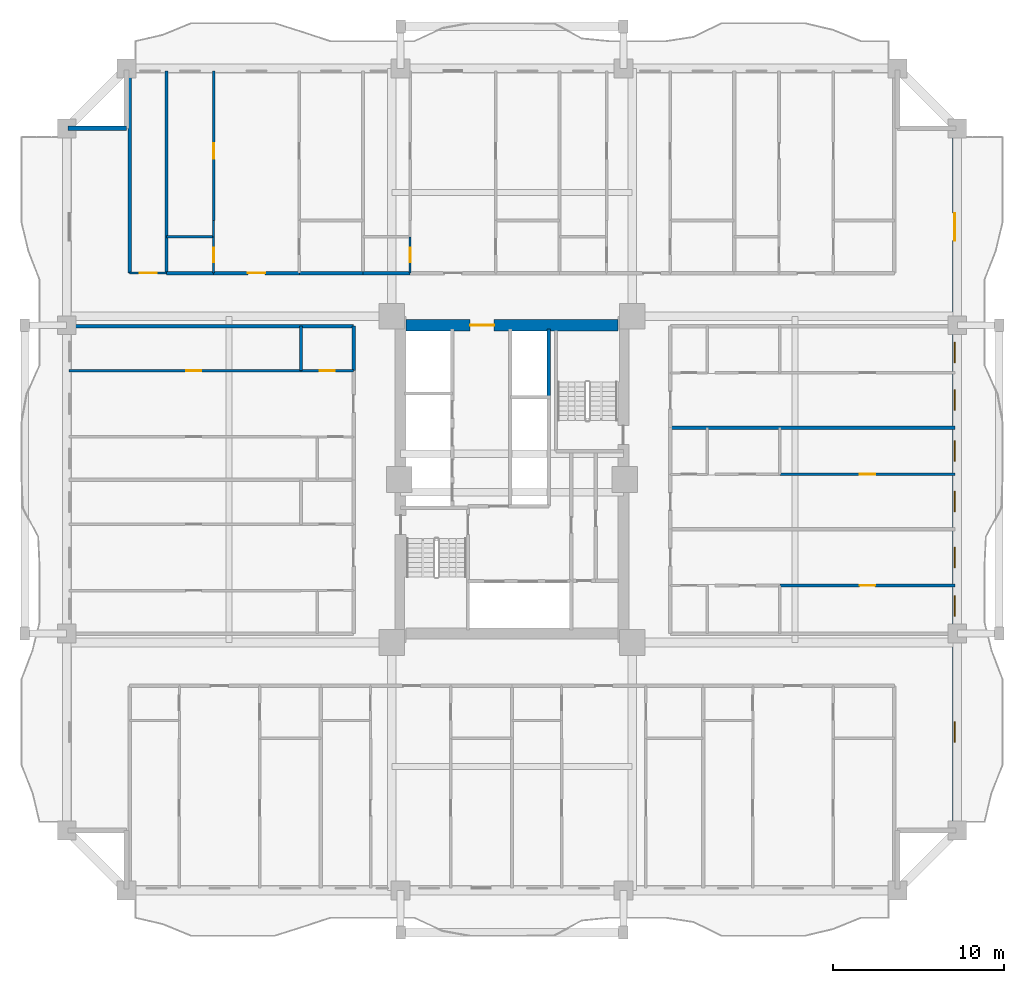
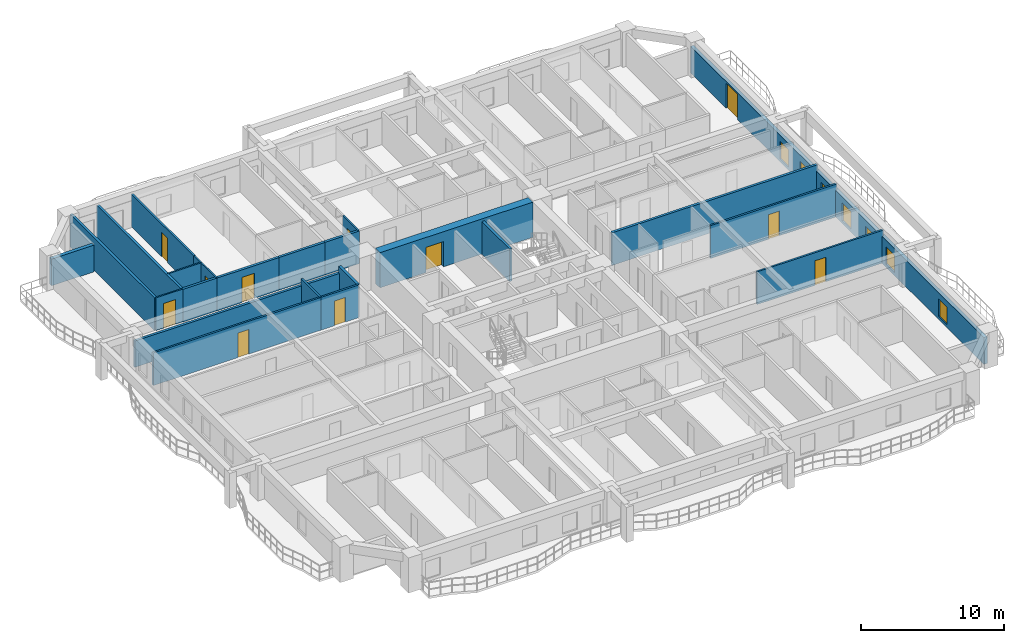
# One storey, part 6 of 16: 24 walls, 11 doors, 7 windows, 18 openings.
"""IFC4 building model written with IfcOpenShell, lengths in metres."""

from ifc_helpers import new_model, si_unit, direction, frame, frame_2d, origin, place, context, subcontext, project, spatial, rectangle, extrude, source, transform, mapped, material, layer, layer_set, type_object, element, fill, save


model = new_model("IFC4")

# Units and contexts
model_context = context("Model", 3, precision=1e-05, world=origin(), true_north=direction((0.0, 1.0)))
body_context = subcontext(model_context, "Body", "Model", "MODEL_VIEW")
ifc_project = project(units=[si_unit("LENGTHUNIT", "METRE"), si_unit("AREAUNIT", "SQUARE_METRE"), si_unit("VOLUMEUNIT", "CUBIC_METRE"), si_unit("PLANEANGLEUNIT", "RADIAN"), si_unit("MASSUNIT", "GRAM", prefix="KILO")], contexts=[model_context])

# Site, building, storey
site_placement = place(None, origin())
site = spatial("IfcSite", under=ifc_project, at=site_placement, CompositionType="ELEMENT")
building_placement = place(site_placement, origin())
building = spatial("IfcBuilding", under=site, at=building_placement, Name="Saelheon Loggia Tower", CompositionType="ELEMENT")
storey_placement = place(building_placement, frame((0.0, 0.0, 37.39990234375)))
storey = spatial("IfcBuildingStorey", under=building, at=storey_placement, Name="L11", CompositionType="ELEMENT", Elevation=37.39990234375)

# Wall, opening, door
ifc_material_1 = material(Name="Concrete C60/75", Category="concrete")
ifc_layer_1 = layer(ifc_material_1, 0.64990234375)
ifc_layer_set_1 = layer_set([ifc_layer_1], Name="Concrete C60/75")
wall_type_1 = type_object("IfcWallType", Name="Wall_CoreShear_650", PredefinedType="SHEAR", material=ifc_layer_set_1)
wall_1_placement = place(storey_placement, frame((31.824951171875, 36.0, 0.0), z_axis=(0.0, 0.0, 1.0), x_axis=(1.0, 0.0, 0.0)))
wall_1 = element("IfcWall", 1, at=wall_1_placement, inside=storey, type_object=wall_type_1, Name="L11 Core Shear Wall North", PredefinedType="SHEAR", context=body_context, shape_type="SweptSolid", body=[
    extrude(rectangle(XDim=12.35009765625, YDim=0.64990234375, at=frame_2d((6.175048828125, 0.0))), origin(), (0.0, 0.0, 1.0), 3.0),
])
opening_1_placement = place(wall_1_placement, frame((5.125, 0.0, 0.0), z_axis=(0.0, 0.0, 1.0), x_axis=(-1.0, 0.0, 0.0)))
opening_1 = element("IfcOpeningElement", 2, at=opening_1_placement, cuts=wall_1, Name="Opening D-FD2L", PredefinedType="OPENING", context=body_context, shape_type="SweptSolid", body=[
    extrude(rectangle(XDim=1.39990234375, YDim=2.14990234375, at=frame_2d((0.699951171875, 1.074951171875))), frame((0.0, 0.3369140625, 0.0), z_axis=(0.0, -1.0, 0.0), x_axis=(1.0, 0.0, 0.0)), (0.0, 0.0, 1.0), 0.673828125),
])
ifc_material_2 = material(Name="Galvanised Steel Glazed Lobby Fire Door", Category="steel")
door_type_1 = type_object("IfcDoorType", Name="Door_Fire_FD60_1400", OperationType="NOTDEFINED", PredefinedType="DOOR", material=ifc_material_2)
shared_shape_1 = source(origin(), body_context, "Body", "SweptSolid", [
    extrude(rectangle(XDim=1.39990234375, YDim=2.14990234375, at=frame_2d((0.699951171875, 1.074951171875))), frame((0.0, 0.02490234375, 0.0), z_axis=(0.0, -1.0, 0.0), x_axis=(1.0, 0.0, 0.0)), (0.0, 0.0, 1.0), 0.050048828125),
])
door_1_placement = place(opening_1_placement, origin())
door_1 = element("IfcDoor", 3, at=door_1_placement, inside=storey, type_object=door_type_1, Name="L11 Passenger Lift Lobby Main Door", OperationType="SINGLE_SWING_RIGHT", OverallHeight=2.14990234375, OverallWidth=1.39990234375, PredefinedType="DOOR", context=body_context, shape_type="MappedRepresentation", body=[
    mapped(shared_shape_1, transform((0.0, 0.0, 0.0), scale=1.0)),
])
fill(opening_1, door_1)

# Wall, openings, windows, door
ifc_material_3 = material(Name="Architectural Precast Concrete C40/50", Category="concrete")
ifc_layer_2 = layer(ifc_material_3, 0.280029296875)
ifc_layer_set_2 = layer_set([ifc_layer_2], Name="Architectural Precast Concrete C40/50")
wall_type_2 = type_object("IfcWallType", Name="Wall_Ext_Loggia_280", PredefinedType="SOLIDWALL", material=ifc_layer_set_2)
wall_2_placement = place(storey_placement, frame((63.860107421875, 6.5, 0.0), z_axis=(0.0, 0.0, 1.0), x_axis=(0.0, 1.0, 0.0)))
wall_2 = element("IfcWall", 4, at=wall_2_placement, inside=storey, type_object=wall_type_2, Name="L11 East Loggia Inner Wall", PredefinedType="SOLIDWALL", context=body_context, shape_type="SweptSolid", body=[
    extrude(rectangle(XDim=41.0, YDim=0.280029296875, at=frame_2d((20.5, 0.0))), origin(), (0.0, 0.0, 1.0), 2.280029296875),
])
opening_2_placement = place(wall_2_placement, frame((5.14990234375, 0.0, 0.25)))
opening_2 = element("IfcOpeningElement", 5, at=opening_2_placement, cuts=wall_2, Name="Opening WN-03", PredefinedType="OPENING", context=body_context, shape_type="SweptSolid", body=[
    extrude(rectangle(XDim=1.199951171875, YDim=1.5, at=frame_2d((0.60009765625, 0.75))), frame((0.0, 0.152099609375, 0.0), z_axis=(0.0, -1.0, 0.0), x_axis=(1.0, 0.0, 0.0)), (0.0, 0.0, 1.0), 0.303955078125),
])
opening_3_placement = place(wall_2_placement, frame((12.498779296875, 0.0, 0.25)))
opening_3 = element("IfcOpeningElement", 6, at=opening_3_placement, cuts=wall_2, Name="Opening WN-03", PredefinedType="OPENING", context=body_context, shape_type="SweptSolid", body=[
    extrude(rectangle(XDim=1.199951171875, YDim=1.5, at=frame_2d((0.60009765625, 0.75))), frame((0.0, 0.152099609375, 0.0), z_axis=(0.0, -1.0, 0.0), x_axis=(1.0, 0.0, 0.0)), (0.0, 0.0, 1.0), 0.303955078125),
])
opening_4_placement = place(wall_2_placement, frame((15.355224609375, 0.0, 0.25)))
opening_4 = element("IfcOpeningElement", 7, at=opening_4_placement, cuts=wall_2, Name="Opening WN-03", PredefinedType="OPENING", context=body_context, shape_type="SweptSolid", body=[
    extrude(rectangle(XDim=1.199951171875, YDim=1.5, at=frame_2d((0.60009765625, 0.75))), frame((0.0, 0.152099609375, 0.0), z_axis=(0.0, -1.0, 0.0), x_axis=(1.0, 0.0, 0.0)), (0.0, 0.0, 1.0), 0.303955078125),
])
opening_5_placement = place(wall_2_placement, frame((18.602294921875, 0.0, 0.25)))
opening_5 = element("IfcOpeningElement", 8, at=opening_5_placement, cuts=wall_2, Name="Opening WN-03", PredefinedType="OPENING", context=body_context, shape_type="SweptSolid", body=[
    extrude(rectangle(XDim=1.199951171875, YDim=1.5, at=frame_2d((0.60009765625, 0.75))), frame((0.0, 0.152099609375, 0.0), z_axis=(0.0, -1.0, 0.0), x_axis=(1.0, 0.0, 0.0)), (0.0, 0.0, 1.0), 0.303955078125),
])
opening_6_placement = place(wall_2_placement, frame((21.564208984375, 0.0, 0.25)))
opening_6 = element("IfcOpeningElement", 9, at=opening_6_placement, cuts=wall_2, Name="Opening WN-03", PredefinedType="OPENING", context=body_context, shape_type="SweptSolid", body=[
    extrude(rectangle(XDim=1.199951171875, YDim=1.5, at=frame_2d((0.60009765625, 0.75))), frame((0.0, 0.152099609375, 0.0), z_axis=(0.0, -1.0, 0.0), x_axis=(1.0, 0.0, 0.0)), (0.0, 0.0, 1.0), 0.303955078125),
])
opening_7_placement = place(wall_2_placement, frame((24.52587890625, 0.0, 0.25)))
opening_7 = element("IfcOpeningElement", 10, at=opening_7_placement, cuts=wall_2, Name="Opening WN-03", PredefinedType="OPENING", context=body_context, shape_type="SweptSolid", body=[
    extrude(rectangle(XDim=1.199951171875, YDim=1.5, at=frame_2d((0.60009765625, 0.75))), frame((0.0, 0.152099609375, 0.0), z_axis=(0.0, -1.0, 0.0), x_axis=(1.0, 0.0, 0.0)), (0.0, 0.0, 1.0), 0.303955078125),
])
opening_8_placement = place(wall_2_placement, frame((27.317626953125, 0.0, 0.25)))
opening_8 = element("IfcOpeningElement", 11, at=opening_8_placement, cuts=wall_2, Name="Opening WN-03", PredefinedType="OPENING", context=body_context, shape_type="SweptSolid", body=[
    extrude(rectangle(XDim=1.199951171875, YDim=1.5, at=frame_2d((0.60009765625, 0.75))), frame((0.0, 0.152099609375, 0.0), z_axis=(0.0, -1.0, 0.0), x_axis=(1.0, 0.0, 0.0)), (0.0, 0.0, 1.0), 0.303955078125),
])
opening_9_placement = place(wall_2_placement, frame((36.050048828125, 0.0, 0.0), z_axis=(0.0, 0.0, 1.0), x_axis=(-1.0, 0.0, 0.0)))
opening_9 = element("IfcOpeningElement", 12, at=opening_9_placement, cuts=wall_2, Name="Opening DLG-1", PredefinedType="OPENING", context=body_context, shape_type="SweptSolid", body=[
    extrude(rectangle(XDim=1.60009765625, YDim=2.14990234375, at=frame_2d((0.800048828125, 1.074951171875))), frame((0.0, 0.152099609375, 0.0), z_axis=(0.0, -1.0, 0.0), x_axis=(1.0, 0.0, 0.0)), (0.0, 0.0, 1.0), 0.303955078125),
])
ifc_material_4 = material(Name="Thermal-Break Aluminium and Triple Low-E Glass", Category="aluminium")
window_type = type_object("IfcWindowType", Name="Win_Bedroom_1200x1500", PartitioningType="SINGLE_PANEL", PredefinedType="WINDOW", material=ifc_material_4)
shared_shape_2 = source(origin(), body_context, "Body", "SweptSolid", [
    extrude(rectangle(XDim=1.199951171875, YDim=1.5, at=frame_2d((0.60009765625, 0.75))), frame((0.0, 0.030029296875, 0.0), z_axis=(0.0, -1.0, 0.0), x_axis=(1.0, 0.0, 0.0)), (0.0, 0.0, 1.0), 0.06005859375),
])
window_1_placement = place(opening_2_placement, origin())
window_1 = element("IfcWindow", 13, at=window_1_placement, inside=storey, type_object=window_type, Name="L11 E Dwelling Window 1", OverallHeight=1.5, OverallWidth=1.199951171875, PartitioningType="SINGLE_PANEL", PredefinedType="WINDOW", context=body_context, shape_type="MappedRepresentation", body=[
    mapped(shared_shape_2, transform((0.0, 0.0, 0.0), scale=1.0)),
])
fill(opening_2, window_1)
window_2_placement = place(opening_3_placement, origin())
window_2 = element("IfcWindow", 14, at=window_2_placement, inside=storey, type_object=window_type, Name="L11 E Dwelling Window 2", OverallHeight=1.5, OverallWidth=1.199951171875, PartitioningType="SINGLE_PANEL", PredefinedType="WINDOW", context=body_context, shape_type="MappedRepresentation", body=[
    mapped(shared_shape_2, transform((0.0, 0.0, 0.0), scale=1.0)),
])
fill(opening_3, window_2)
window_3_placement = place(opening_4_placement, origin())
window_3 = element("IfcWindow", 15, at=window_3_placement, inside=storey, type_object=window_type, Name="L11 E Dwelling Window 3", OverallHeight=1.5, OverallWidth=1.199951171875, PartitioningType="SINGLE_PANEL", PredefinedType="WINDOW", context=body_context, shape_type="MappedRepresentation", body=[
    mapped(shared_shape_2, transform((0.0, 0.0, 0.0), scale=1.0)),
])
fill(opening_4, window_3)
window_4_placement = place(opening_5_placement, origin())
window_4 = element("IfcWindow", 16, at=window_4_placement, inside=storey, type_object=window_type, Name="L11 E Dwelling Window 4", OverallHeight=1.5, OverallWidth=1.199951171875, PartitioningType="SINGLE_PANEL", PredefinedType="WINDOW", context=body_context, shape_type="MappedRepresentation", body=[
    mapped(shared_shape_2, transform((0.0, 0.0, 0.0), scale=1.0)),
])
fill(opening_5, window_4)
window_5_placement = place(opening_6_placement, origin())
window_5 = element("IfcWindow", 17, at=window_5_placement, inside=storey, type_object=window_type, Name="L11 E Dwelling Window 5", OverallHeight=1.5, OverallWidth=1.199951171875, PartitioningType="SINGLE_PANEL", PredefinedType="WINDOW", context=body_context, shape_type="MappedRepresentation", body=[
    mapped(shared_shape_2, transform((0.0, 0.0, 0.0), scale=1.0)),
])
fill(opening_6, window_5)
window_6_placement = place(opening_7_placement, origin())
window_6 = element("IfcWindow", 18, at=window_6_placement, inside=storey, type_object=window_type, Name="L11 E Dwelling Window 6", OverallHeight=1.5, OverallWidth=1.199951171875, PartitioningType="SINGLE_PANEL", PredefinedType="WINDOW", context=body_context, shape_type="MappedRepresentation", body=[
    mapped(shared_shape_2, transform((0.0, 0.0, 0.0), scale=1.0)),
])
fill(opening_7, window_6)
window_7_placement = place(opening_8_placement, origin())
window_7 = element("IfcWindow", 19, at=window_7_placement, inside=storey, type_object=window_type, Name="L11 E Dwelling Window 7", OverallHeight=1.5, OverallWidth=1.199951171875, PartitioningType="SINGLE_PANEL", PredefinedType="WINDOW", context=body_context, shape_type="MappedRepresentation", body=[
    mapped(shared_shape_2, transform((0.0, 0.0, 0.0), scale=1.0)),
])
fill(opening_8, window_7)
ifc_material_5 = material(Name="Thermal-Break Aluminium Sliding Glazed Door", Category="aluminium")
door_type_2 = type_object("IfcDoorType", Name="Door_LoggiaSlide_1600", OperationType="SLIDING_TO_LEFT", PredefinedType="DOOR", material=ifc_material_5)
shared_shape_3 = source(origin(), body_context, "Body", "SweptSolid", [
    extrude(rectangle(XDim=1.60009765625, YDim=2.14990234375, at=frame_2d((0.800048828125, 1.074951171875))), frame((0.0, 0.02490234375, 0.0), z_axis=(0.0, -1.0, 0.0), x_axis=(1.0, 0.0, 0.0)), (0.0, 0.0, 1.0), 0.050048828125),
])
door_2_placement = place(opening_9_placement, origin())
door_2 = element("IfcDoor", 20, at=door_2_placement, inside=storey, type_object=door_type_2, Name="L11 E Loggia Access Door", OperationType="SLIDING_TO_LEFT", OverallHeight=2.14990234375, OverallWidth=1.60009765625, PredefinedType="DOOR", context=body_context, shape_type="MappedRepresentation", body=[
    mapped(shared_shape_3, transform((0.0, 0.0, 0.0), scale=1.0)),
])
fill(opening_9, door_2)

# Wall
wall_3_placement = place(storey_placement, frame((12.080078125, 47.5, 0.0), z_axis=(0.0, 0.0, 1.0), x_axis=(1.0, 0.0, 0.0)))
element("IfcWall", 21, at=wall_3_placement, inside=storey, type_object=wall_type_2, Name="L11 Corner Notch Precast Wall NW2", PredefinedType="SOLIDWALL", context=body_context, shape_type="SweptSolid", body=[
    extrude(rectangle(XDim=3.419921875, YDim=0.280029296875, at=frame_2d((1.7099609375, 0.0))), origin(), (0.0, 0.0, 1.0), 2.280029296875),
])

# Wall, opening, door
ifc_material_6 = material(Name="Lightweight Autoclaved Aerated Concrete Block and Acoustic Gypsum", Category="concrete")
ifc_layer_3 = layer(ifc_material_6, 0.14990234375)
ifc_layer_set_3 = layer_set([ifc_layer_3], Name="Lightweight Autoclaved Aerated Concrete Block and Acoustic Gypsum")
wall_type_3 = type_object("IfcWallType", Name="Wall_Part_150", PredefinedType="PARTITIONING", material=ifc_layer_set_3)
wall_4_placement = place(storey_placement, frame((20.580078125, 42.1201171875, 0.0), z_axis=(0.0, 0.0, 1.0), x_axis=(0.0, 1.0, 0.0)))
wall_4 = element("IfcWall", 22, at=wall_4_placement, inside=storey, type_object=wall_type_3, Name="L11 N Partition U12", PredefinedType="PARTITIONING", context=body_context, shape_type="SweptSolid", body=[
    extrude(rectangle(XDim=8.72998046875, YDim=0.14990234375, at=frame_2d((4.364990234375, 0.0))), origin(), (0.0, 0.0, 1.0), 2.7900390625),
])
opening_10_placement = place(wall_4_placement, frame((3.60888671875, 0.0, 0.0)))
opening_10 = element("IfcOpeningElement", 23, at=opening_10_placement, cuts=wall_4, Name="Opening D-IN2", PredefinedType="OPENING", context=body_context, shape_type="SweptSolid", body=[
    extrude(rectangle(XDim=0.89990234375, YDim=2.10009765625, at=frame_2d((0.449951171875, 1.050048828125))), frame((0.0, 0.0869140625, 0.0), z_axis=(0.0, -1.0, 0.0), x_axis=(1.0, 0.0, 0.0)), (0.0, 0.0, 1.0), 0.173828125),
])
ifc_material_7 = material(Name="Engineered Oak Flush Door", Category="timber")
door_type_3 = type_object("IfcDoorType", Name="Door_Int_900", OperationType="NOTDEFINED", PredefinedType="DOOR", material=ifc_material_7)
shared_shape_4 = source(origin(), body_context, "Body", "SweptSolid", [
    extrude(rectangle(XDim=0.89990234375, YDim=2.10009765625, at=frame_2d((0.449951171875, 1.050048828125))), frame((0.0, 0.02490234375, 0.0), z_axis=(0.0, -1.0, 0.0), x_axis=(1.0, 0.0, 0.0)), (0.0, 0.0, 1.0), 0.050048828125),
])
door_3_placement = place(opening_10_placement, origin())
door_3 = element("IfcDoor", 24, at=door_3_placement, inside=storey, type_object=door_type_3, Name="Unit U05 Kitchen Door", OperationType="SINGLE_SWING_RIGHT", OverallHeight=2.10009765625, OverallWidth=0.89990234375, PredefinedType="DOOR", context=body_context, shape_type="MappedRepresentation", body=[
    mapped(shared_shape_4, transform((0.0, 0.0, 0.0), scale=1.0)),
])
fill(opening_10, door_3)

# Wall
wall_5_placement = place(storey_placement, frame((25.679931640625, 33.35009765625, 0.0), z_axis=(0.0, 0.0, 1.0), x_axis=(0.0, 1.0, 0.0)))
element("IfcWall", 25, at=wall_5_placement, inside=storey, type_object=wall_type_3, Name="L11 W Partition V18", PredefinedType="PARTITIONING", context=body_context, shape_type="SweptSolid", body=[
    extrude(rectangle(XDim=2.599853515625, YDim=0.14990234375, at=frame_2d((1.2998046875, 0.0))), origin(), (0.0, 0.0, 1.0), 2.7900390625),
])

# Wall, opening, door
wall_6_placement = place(storey_placement, frame((28.75, 33.35009765625, 0.0), z_axis=(0.0, 0.0, 1.0), x_axis=(-1.0, 0.0, 0.0)))
wall_6 = element("IfcWall", 26, at=wall_6_placement, inside=storey, type_object=wall_type_3, Name="L11 W Partition U22", PredefinedType="PARTITIONING", context=body_context, shape_type="SweptSolid", body=[
    extrude(rectangle(XDim=3.070068359375, YDim=0.14990234375, at=frame_2d((1.53515625, 0.0))), origin(), (0.0, 0.0, 1.0), 2.7900390625),
])
opening_11_placement = place(wall_6_placement, frame((1.0849609375, 0.0, 0.0)))
opening_11 = element("IfcOpeningElement", 27, at=opening_11_placement, cuts=wall_6, Name="Opening D-IN2", PredefinedType="OPENING", context=body_context, shape_type="SweptSolid", body=[
    extrude(rectangle(XDim=0.89990234375, YDim=2.10009765625, at=frame_2d((0.449951171875, 1.050048828125))), frame((0.0, 0.0869140625, 0.0), z_axis=(0.0, -1.0, 0.0), x_axis=(1.0, 0.0, 0.0)), (0.0, 0.0, 1.0), 0.173828125),
])
door_4_placement = place(opening_11_placement, origin())
door_4 = element("IfcDoor", 28, at=door_4_placement, inside=storey, type_object=door_type_3, Name="Unit U10 Dressing Closet Door", OperationType="SINGLE_SWING_RIGHT", OverallHeight=2.10009765625, OverallWidth=0.89990234375, PredefinedType="DOOR", context=body_context, shape_type="MappedRepresentation", body=[
    mapped(shared_shape_4, transform((0.0, 0.0, 0.0), scale=1.0)),
])
fill(opening_11, door_4)

wall_7_placement = place(storey_placement, frame((25.679931640625, 33.35009765625, 0.0), z_axis=(0.0, 0.0, 1.0), x_axis=(-1.0, 0.0, 0.0)))
wall_7 = element("IfcWall", 29, at=wall_7_placement, inside=storey, type_object=wall_type_3, Name="L11 W Partition U23", PredefinedType="PARTITIONING", context=body_context, shape_type="SweptSolid", body=[
    extrude(rectangle(XDim=13.530029296875, YDim=0.14990234375, at=frame_2d((6.76513671875, 0.0))), origin(), (0.0, 0.0, 1.0), 2.7900390625),
])
opening_12_placement = place(wall_7_placement, frame((5.80859375, 0.0, 0.0)))
opening_12 = element("IfcOpeningElement", 30, at=opening_12_placement, cuts=wall_7, Name="Opening D-IN2", PredefinedType="OPENING", context=body_context, shape_type="SweptSolid", body=[
    extrude(rectangle(XDim=0.89990234375, YDim=2.10009765625, at=frame_2d((0.449951171875, 1.050048828125))), frame((0.0, 0.0869140625, 0.0), z_axis=(0.0, -1.0, 0.0), x_axis=(1.0, 0.0, 0.0)), (0.0, 0.0, 1.0), 0.173828125),
])
door_5_placement = place(opening_12_placement, origin())
door_5 = element("IfcDoor", 31, at=door_5_placement, inside=storey, type_object=door_type_3, Name="Unit U10 Bedroom 1 Door", OperationType="SINGLE_SWING_LEFT", OverallHeight=2.10009765625, OverallWidth=0.89990234375, PredefinedType="DOOR", context=body_context, shape_type="MappedRepresentation", body=[
    mapped(shared_shape_4, transform((0.0, 0.0, 0.0), scale=1.0)),
])
fill(opening_12, door_5)

wall_8_placement = place(storey_placement, frame((53.639892578125, 20.807373046875, 0.0), z_axis=(0.0, 0.0, 1.0), x_axis=(1.0, 0.0, 0.0)))
wall_8 = element("IfcWall", 32, at=wall_8_placement, inside=storey, type_object=wall_type_3, Name="L11 E Partition U09", PredefinedType="PARTITIONING", context=body_context, shape_type="SweptSolid", body=[
    extrude(rectangle(XDim=10.210205078125, YDim=0.14990234375, at=frame_2d((5.10498046875, 0.0))), origin(), (0.0, 0.0, 1.0), 2.7900390625),
])
opening_13_placement = place(wall_8_placement, frame((4.655029296875, 0.0, 0.0)))
opening_13 = element("IfcOpeningElement", 33, at=opening_13_placement, cuts=wall_8, Name="Opening D-IN2", PredefinedType="OPENING", context=body_context, shape_type="SweptSolid", body=[
    extrude(rectangle(XDim=0.89990234375, YDim=2.10009765625, at=frame_2d((0.449951171875, 1.050048828125))), frame((0.0, 0.0869140625, 0.0), z_axis=(0.0, -1.0, 0.0), x_axis=(1.0, 0.0, 0.0)), (0.0, 0.0, 1.0), 0.173828125),
])
door_6_placement = place(opening_13_placement, origin())
door_6 = element("IfcDoor", 34, at=door_6_placement, inside=storey, type_object=door_type_3, Name="Unit U11 Bedroom 1 Door", OperationType="SINGLE_SWING_LEFT", OverallHeight=2.10009765625, OverallWidth=0.89990234375, PredefinedType="DOOR", context=body_context, shape_type="MappedRepresentation", body=[
    mapped(shared_shape_4, transform((0.0, 0.0, 0.0), scale=1.0)),
])
fill(opening_13, door_6)

wall_9_placement = place(storey_placement, frame((53.639892578125, 27.3017578125, 0.0), z_axis=(0.0, 0.0, 1.0), x_axis=(1.0, 0.0, 0.0)))
wall_9 = element("IfcWall", 35, at=wall_9_placement, inside=storey, type_object=wall_type_3, Name="L11 E Partition U17", PredefinedType="PARTITIONING", context=body_context, shape_type="SweptSolid", body=[
    extrude(rectangle(XDim=10.210205078125, YDim=0.14990234375, at=frame_2d((5.10498046875, 0.0))), origin(), (0.0, 0.0, 1.0), 2.7900390625),
])
opening_14_placement = place(wall_9_placement, frame((4.655029296875, 0.0, 0.0)))
opening_14 = element("IfcOpeningElement", 36, at=opening_14_placement, cuts=wall_9, Name="Opening D-IN2", PredefinedType="OPENING", context=body_context, shape_type="SweptSolid", body=[
    extrude(rectangle(XDim=0.89990234375, YDim=2.10009765625, at=frame_2d((0.449951171875, 1.050048828125))), frame((0.0, 0.0869140625, 0.0), z_axis=(0.0, -1.0, 0.0), x_axis=(1.0, 0.0, 0.0)), (0.0, 0.0, 1.0), 0.173828125),
])
door_7_placement = place(opening_14_placement, origin())
door_7 = element("IfcDoor", 37, at=door_7_placement, inside=storey, type_object=door_type_3, Name="Unit U12 Bedroom 1 Door", OperationType="SINGLE_SWING_LEFT", OverallHeight=2.10009765625, OverallWidth=0.89990234375, PredefinedType="DOOR", context=body_context, shape_type="MappedRepresentation", body=[
    mapped(shared_shape_4, transform((0.0, 0.0, 0.0), scale=1.0)),
])
fill(opening_14, door_7)

# Walls
ifc_material_8 = material(Name="Double Acoustic Stud and Fireboard Partition", Category="gypsum")
ifc_layer_4 = layer(ifc_material_8, 0.199951171875)
ifc_layer_set_4 = layer_set([ifc_layer_4], Name="Double Acoustic Stud and Fireboard Partition")
wall_type_4 = type_object("IfcWallType", Name="Wall_Party_200", PredefinedType="PARTITIONING", material=ifc_layer_set_4)
for number, where, z_axis, x_axis, name in (
    (38, (15.679931640625, 39.050048828125, 0.0), (0.0, 0.0, 1.0), (0.0, 1.0, 0.0), "L11 N Partition U01"),
    (39, (17.830078125, 39.050048828125, 0.0), (0.0, 0.0, 1.0), (0.0, 1.0, 0.0), "L11 N Partition U03"),
):
    element("IfcWall", number, at=place(storey_placement, frame(where, z_axis=z_axis, x_axis=x_axis)), inside=storey, type_object=wall_type_4, Name=name, PredefinedType="PARTITIONING", context=body_context, shape_type="SweptSolid", body=[
        extrude(rectangle(XDim=11.800048828125, YDim=0.199951171875, at=frame_2d((5.89990234375, 0.0))), origin(), (0.0, 0.0, 1.0), 2.7900390625),
    ])
wall_10_placement = place(storey_placement, frame((17.830078125, 39.050048828125, 0.0), z_axis=(0.0, 0.0, 1.0), x_axis=(1.0, 0.0, 0.0)))
element("IfcWall", 40, at=wall_10_placement, inside=storey, type_object=wall_type_4, Name="L11 N Partition V05", PredefinedType="PARTITIONING", context=body_context, shape_type="SweptSolid", body=[
    extrude(rectangle(XDim=2.75, YDim=0.199951171875, at=frame_2d((1.375, 0.0))), origin(), (0.0, 0.0, 1.0), 2.7900390625),
])

# Wall, opening, door
wall_11_placement = place(storey_placement, frame((20.580078125, 39.050048828125, 0.0), z_axis=(0.0, 0.0, 1.0), x_axis=(1.0, 0.0, 0.0)))
wall_11 = element("IfcWall", 41, at=wall_11_placement, inside=storey, type_object=wall_type_4, Name="L11 N Partition V06", PredefinedType="PARTITIONING", context=body_context, shape_type="SweptSolid", body=[
    extrude(rectangle(XDim=4.99951171875, YDim=0.199951171875, at=frame_2d((2.499755859375, 0.0))), origin(), (0.0, 0.0, 1.0), 2.7900390625),
])
opening_15_placement = place(wall_11_placement, frame((1.999755859375, 0.0, 0.0)))
opening_15 = element("IfcOpeningElement", 42, at=opening_15_placement, cuts=wall_11, Name="Opening D-FD1", PredefinedType="OPENING", context=body_context, shape_type="SweptSolid", body=[
    extrude(rectangle(XDim=1.0, YDim=2.14990234375, at=frame_2d((0.5, 1.074951171875))), frame((0.0, 0.112060546875, 0.0), z_axis=(0.0, -1.0, 0.0), x_axis=(1.0, 0.0, 0.0)), (0.0, 0.0, 1.0), 0.223876953125),
])
ifc_material_9 = material(Name="Fire-Rated Engineered Timber Entrance Door", Category="wood")
door_type_4 = type_object("IfcDoorType", Name="Door_Flat_FD30S", OperationType="NOTDEFINED", PredefinedType="DOOR", material=ifc_material_9)
shared_shape_5 = source(origin(), body_context, "Body", "SweptSolid", [
    extrude(rectangle(XDim=1.0, YDim=2.14990234375, at=frame_2d((0.5, 1.074951171875))), frame((0.0, 0.02490234375, 0.0), z_axis=(0.0, -1.0, 0.0), x_axis=(1.0, 0.0, 0.0)), (0.0, 0.0, 1.0), 0.050048828125),
])
door_8_placement = place(opening_15_placement, origin())
door_8 = element("IfcDoor", 43, at=door_8_placement, inside=storey, type_object=door_type_4, Name="Unit U05 Entrance Door", OperationType="SINGLE_SWING_RIGHT", OverallHeight=2.14990234375, OverallWidth=1.0, PredefinedType="DOOR", context=body_context, shape_type="MappedRepresentation", body=[
    mapped(shared_shape_5, transform((0.0, 0.0, 0.0), scale=1.0)),
])
fill(opening_15, door_8)

# Walls
wall_12_placement = place(storey_placement, frame((25.57958984375, 39.050048828125, 0.0), z_axis=(0.0, 0.0, 1.0), x_axis=(1.0, 0.0, 0.0)))
element("IfcWall", 44, at=wall_12_placement, inside=storey, type_object=wall_type_4, Name="L11 N Partition V07", PredefinedType="PARTITIONING", context=body_context, shape_type="SweptSolid", body=[
    extrude(rectangle(XDim=3.72265625, YDim=0.199951171875, at=frame_2d((1.861328125, 0.0))), origin(), (0.0, 0.0, 1.0), 2.7900390625),
])
wall_13_placement = place(storey_placement, frame((29.30224609375, 39.050048828125, 0.0), z_axis=(0.0, 0.0, 1.0), x_axis=(1.0, 0.0, 0.0)))
element("IfcWall", 45, at=wall_13_placement, inside=storey, type_object=wall_type_4, Name="L11 N Partition V16", PredefinedType="PARTITIONING", context=body_context, shape_type="SweptSolid", body=[
    extrude(rectangle(XDim=2.75, YDim=0.199951171875, at=frame_2d((1.375, 0.0))), origin(), (0.0, 0.0, 1.0), 2.7900390625),
])
wall_14_placement = place(storey_placement, frame((28.75, 35.949951171875, 0.0), z_axis=(0.0, 0.0, 1.0), x_axis=(-1.0, 0.0, 0.0)))
element("IfcWall", 46, at=wall_14_placement, inside=storey, type_object=wall_type_4, Name="L11 W Partition U02", PredefinedType="PARTITIONING", context=body_context, shape_type="SweptSolid", body=[
    extrude(rectangle(XDim=16.60009765625, YDim=0.199951171875, at=frame_2d((8.300048828125, 0.0))), origin(), (0.0, 0.0, 1.0), 2.239990234375),
])
wall_15_placement = place(storey_placement, frame((28.75, 33.35009765625, 0.0), z_axis=(0.0, 0.0, 1.0), x_axis=(0.0, 1.0, 0.0)))
element("IfcWall", 47, at=wall_15_placement, inside=storey, type_object=wall_type_4, Name="L11 W Partition V16", PredefinedType="PARTITIONING", context=body_context, shape_type="SweptSolid", body=[
    extrude(rectangle(XDim=2.599853515625, YDim=0.199951171875, at=frame_2d((1.2998046875, 0.0))), origin(), (0.0, 0.0, 1.0), 2.7900390625),
])
wall_16_placement = place(storey_placement, frame((47.25, 30.026611328125, 0.0), z_axis=(0.0, 0.0, 1.0), x_axis=(1.0, 0.0, 0.0)))
element("IfcWall", 48, at=wall_16_placement, inside=storey, type_object=wall_type_4, Name="L11 E Partition U18", PredefinedType="PARTITIONING", context=body_context, shape_type="SweptSolid", body=[
    extrude(rectangle(XDim=16.60009765625, YDim=0.199951171875, at=frame_2d((8.300048828125, 0.0))), origin(), (0.0, 0.0, 1.0), 2.7900390625),
])
ifc_material_10 = material(Name="Concrete C40/50", Category="concrete")
ifc_layer_5 = layer(ifc_material_10, 0.199951171875)
ifc_layer_set_5 = layer_set([ifc_layer_5], Name="Concrete C40/50")
wall_type_5 = type_object("IfcWallType", Name="Wall_Shaft_200", PredefinedType="PARTITIONING", material=ifc_layer_set_5)
wall_17_placement = place(storey_placement, frame((40.14990234375, 31.800048828125, 0.0), z_axis=(0.0, 0.0, 1.0), x_axis=(0.0, 1.0, 0.0)))
element("IfcWall", 49, at=wall_17_placement, inside=storey, type_object=wall_type_5, Name="L11 East High-Rise Hoistway East Wall", PredefinedType="PARTITIONING", context=body_context, shape_type="SweptSolid", body=[
    extrude(rectangle(XDim=3.97998046875, YDim=0.199951171875, at=frame_2d((1.989990234375, 0.0))), origin(), (0.0, 0.0, 1.0), 2.7900390625),
])

# Wall, opening, door
ifc_material_11 = material(Name="Moisture-Resistant Cement Board Partition", Category="gypsum")
ifc_layer_6 = layer(ifc_material_11, 0.1201171875)
ifc_layer_set_6 = layer_set([ifc_layer_6], Name="Moisture-Resistant Cement Board Partition")
wall_type_6 = type_object("IfcWallType", Name="Wall_WetPart_120", PredefinedType="PARTITIONING", material=ifc_layer_set_6)
wall_18_placement = place(storey_placement, frame((15.679931640625, 39.050048828125, 0.0), z_axis=(0.0, 0.0, 1.0), x_axis=(1.0, 0.0, 0.0)))
wall_18 = element("IfcWall", 50, at=wall_18_placement, inside=storey, type_object=wall_type_6, Name="L11 N Partition V04", PredefinedType="PARTITIONING", context=body_context, shape_type="SweptSolid", body=[
    extrude(rectangle(XDim=2.150146484375, YDim=0.1201171875, at=frame_2d((1.0751953125, 0.0))), origin(), (0.0, 0.0, 1.0), 2.7900390625),
])
opening_16_placement = place(wall_18_placement, frame((0.574951171875, 0.0, 0.0)))
opening_16 = element("IfcOpeningElement", 51, at=opening_16_placement, cuts=wall_18, Name="Opening D-AC1", PredefinedType="OPENING", context=body_context, shape_type="SweptSolid", body=[
    extrude(rectangle(XDim=1.0, YDim=2.10009765625, at=frame_2d((0.5, 1.050048828125))), frame((0.0, 0.072021484375, 0.0), z_axis=(0.0, -1.0, 0.0), x_axis=(1.0, 0.0, 0.0)), (0.0, 0.0, 1.0), 0.14404296875),
])
ifc_material_12 = material(Name="Accessible Laminate Flush Door", Category="timber")
door_type_5 = type_object("IfcDoorType", Name="Door_Acc_1000", OperationType="NOTDEFINED", PredefinedType="DOOR", material=ifc_material_12)
shared_shape_6 = source(origin(), body_context, "Body", "SweptSolid", [
    extrude(rectangle(XDim=1.0, YDim=2.10009765625, at=frame_2d((0.5, 1.050048828125))), frame((0.0, 0.02490234375, 0.0), z_axis=(0.0, -1.0, 0.0), x_axis=(1.0, 0.0, 0.0)), (0.0, 0.0, 1.0), 0.050048828125),
])
door_9_placement = place(opening_16_placement, origin())
door_9 = element("IfcDoor", 52, at=door_9_placement, inside=storey, type_object=door_type_5, Name="L11 Floor Accessible WC Door", OperationType="SINGLE_SWING_LEFT", OverallHeight=2.10009765625, OverallWidth=1.0, PredefinedType="DOOR", context=body_context, shape_type="MappedRepresentation", body=[
    mapped(shared_shape_6, transform((0.0, 0.0, 0.0), scale=1.0)),
])
fill(opening_16, door_9)

# Wall
wall_19_placement = place(storey_placement, frame((17.830078125, 41.169921875, 0.0), z_axis=(0.0, 0.0, 1.0), x_axis=(1.0, 0.0, 0.0)))
element("IfcWall", 53, at=wall_19_placement, inside=storey, type_object=wall_type_6, Name="L11 N Partition V08", PredefinedType="PARTITIONING", context=body_context, shape_type="SweptSolid", body=[
    extrude(rectangle(XDim=2.75, YDim=0.1201171875, at=frame_2d((1.375, 0.0))), origin(), (0.0, 0.0, 1.0), 2.7900390625),
])

# Wall, opening, door
wall_20_placement = place(storey_placement, frame((20.580078125, 39.050048828125, 0.0), z_axis=(0.0, 0.0, 1.0), x_axis=(0.0, 1.0, 0.0)))
wall_20 = element("IfcWall", 54, at=wall_20_placement, inside=storey, type_object=wall_type_6, Name="L11 N Partition U10", PredefinedType="PARTITIONING", context=body_context, shape_type="SweptSolid", body=[
    extrude(rectangle(XDim=2.119873046875, YDim=0.1201171875, at=frame_2d((1.06005859375, 0.0))), origin(), (0.0, 0.0, 1.0), 2.7900390625),
])
opening_17_placement = place(wall_20_placement, frame((0.635009765625, 0.0, 0.0)))
opening_17 = element("IfcOpeningElement", 55, at=opening_17_placement, cuts=wall_20, Name="Opening D-BT1", PredefinedType="OPENING", context=body_context, shape_type="SweptSolid", body=[
    extrude(rectangle(XDim=0.85009765625, YDim=2.050048828125, at=frame_2d((0.425048828125, 1.02490234375))), frame((0.0, 0.072021484375, 0.0), z_axis=(0.0, -1.0, 0.0), x_axis=(1.0, 0.0, 0.0)), (0.0, 0.0, 1.0), 0.14404296875),
])
ifc_material_13 = material(Name="Moisture-Resistant Laminate Timber Door", Category="wood")
door_type_6 = type_object("IfcDoorType", Name="Door_Bath_850", OperationType="NOTDEFINED", PredefinedType="DOOR", material=ifc_material_13)
shared_shape_7 = source(origin(), body_context, "Body", "SweptSolid", [
    extrude(rectangle(XDim=0.85009765625, YDim=2.050048828125, at=frame_2d((0.425048828125, 1.02490234375))), frame((0.0, 0.02490234375, 0.0), z_axis=(0.0, -1.0, 0.0), x_axis=(1.0, 0.0, 0.0)), (0.0, 0.0, 1.0), 0.050048828125),
])
door_10_placement = place(opening_17_placement, origin())
door_10 = element("IfcDoor", 56, at=door_10_placement, inside=storey, type_object=door_type_6, Name="Unit U05 Bathroom Door", OperationType="SINGLE_SWING_LEFT", OverallHeight=2.050048828125, OverallWidth=0.85009765625, PredefinedType="DOOR", context=body_context, shape_type="MappedRepresentation", body=[
    mapped(shared_shape_7, transform((0.0, 0.0, 0.0), scale=1.0)),
])
fill(opening_17, door_10)

# Wall
wall_21_placement = place(storey_placement, frame((20.580078125, 41.169921875, 0.0), z_axis=(0.0, 0.0, 1.0), x_axis=(0.0, 1.0, 0.0)))
element("IfcWall", 57, at=wall_21_placement, inside=storey, type_object=wall_type_6, Name="L11 N Partition U11", PredefinedType="PARTITIONING", context=body_context, shape_type="SweptSolid", body=[
    extrude(rectangle(XDim=0.9501953125, YDim=0.1201171875, at=frame_2d((0.47509765625, 0.0))), origin(), (0.0, 0.0, 1.0), 2.7900390625),
])

# Wall, opening, door
wall_22_placement = place(storey_placement, frame((32.05224609375, 39.050048828125, 0.0), z_axis=(0.0, 0.0, 1.0), x_axis=(0.0, 1.0, 0.0)))
wall_22 = element("IfcWall", 58, at=wall_22_placement, inside=storey, type_object=wall_type_6, Name="L11 N Partition U21", PredefinedType="PARTITIONING", context=body_context, shape_type="SweptSolid", body=[
    extrude(rectangle(XDim=2.119873046875, YDim=0.1201171875, at=frame_2d((1.06005859375, 0.0))), origin(), (0.0, 0.0, 1.0), 2.7900390625),
])
opening_18_placement = place(wall_22_placement, frame((0.635009765625, 0.0, 0.0)))
opening_18 = element("IfcOpeningElement", 59, at=opening_18_placement, cuts=wall_22, Name="Opening D-BT1", PredefinedType="OPENING", context=body_context, shape_type="SweptSolid", body=[
    extrude(rectangle(XDim=0.85009765625, YDim=2.050048828125, at=frame_2d((0.425048828125, 1.02490234375))), frame((0.0, 0.072021484375, 0.0), z_axis=(0.0, -1.0, 0.0), x_axis=(1.0, 0.0, 0.0)), (0.0, 0.0, 1.0), 0.14404296875),
])
door_11_placement = place(opening_18_placement, origin())
door_11 = element("IfcDoor", 60, at=door_11_placement, inside=storey, type_object=door_type_6, Name="Unit U06 Bathroom Door", OperationType="SINGLE_SWING_RIGHT", OverallHeight=2.050048828125, OverallWidth=0.85009765625, PredefinedType="DOOR", context=body_context, shape_type="MappedRepresentation", body=[
    mapped(shared_shape_7, transform((0.0, 0.0, 0.0), scale=1.0)),
])
fill(opening_18, door_11)

save(model, "model.ifc")
